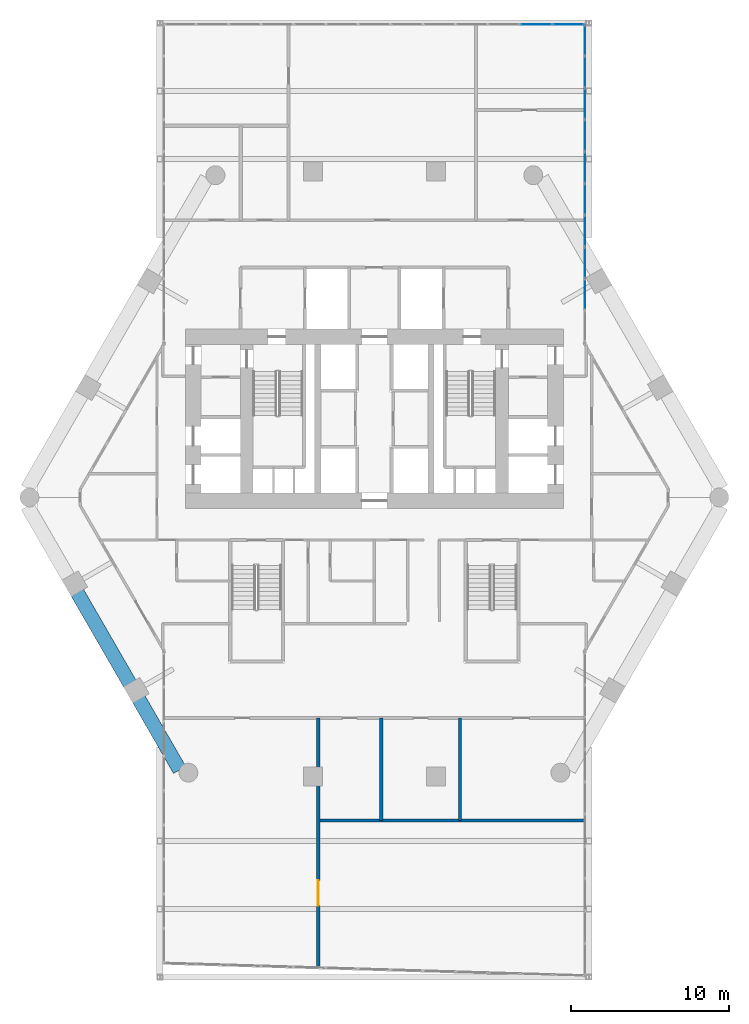
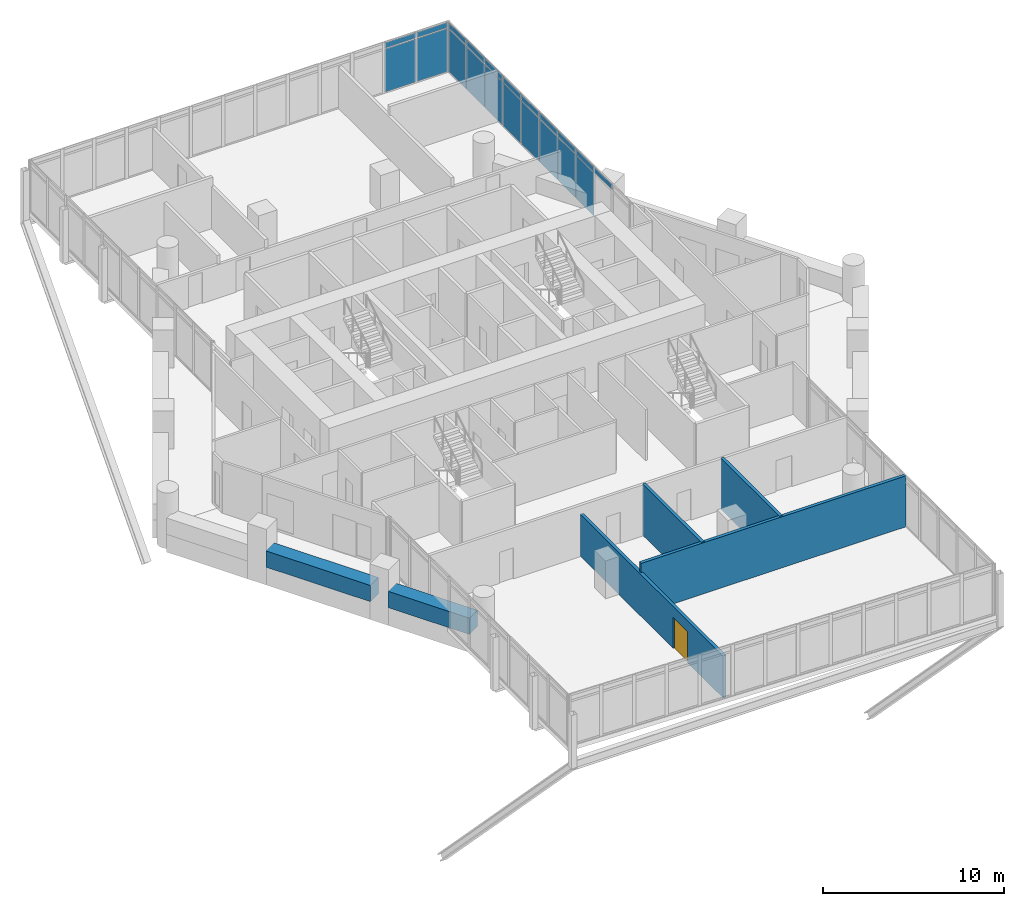
# One storey, part 29 of 37: 21 plates, 6 walls, 1 door, 1 opening, 2 elements without a shape of their own.
"""IFC4 building model written with IfcOpenShell, lengths in metres."""

import ifcopenshell
import ifcopenshell.guid

model = None  # the IFC model being written
_history = None  # IfcOwnerHistory: only IFC2X3 demands one
_inside = {}  # id of a spatial element -> (the spatial element, [elements in it])
_under = {}  # id of a project, library or spatial element -> (it, [spatial elements below it])
_declared = {}  # id of a project -> (the project, [libraries it declares])
_typed = {}  # id of a type object -> (the type object, [elements of that type])
_made_of = {}  # id of a material, layer set ... -> (it, [elements and type objects made of it])


def new_model(schema):
    """Start an empty IFC model of exactly this schema.

    Asked for "IFC4X3", IfcOpenShell would pick the latest addendum, in which some entities
    have other attributes; the version numbers below select the first issue.
    IFC2X3 requires an IfcOwnerHistory on every rooted entity: one is made here for all.
    """
    global model, _history
    if schema == "IFC4X3":
        model = ifcopenshell.file(schema_version=(4, 3, 0, 0))
    else:
        model = ifcopenshell.file(schema=schema)
    _inside.clear()
    _under.clear()
    _declared.clear()
    _typed.clear()
    _made_of.clear()
    _history = None
    if model.schema == "IFC2X3":
        org = make("IfcOrganization", Name="unknown")
        user = make(
            "IfcPersonAndOrganization",
            ThePerson=make("IfcPerson", FamilyName="unknown"),
            TheOrganization=org,
        )
        app = make(
            "IfcApplication",
            ApplicationDeveloper=org,
            Version="unknown",
            ApplicationFullName="unknown",
            ApplicationIdentifier="unknown",
        )
        _history = make(
            "IfcOwnerHistory",
            OwningUser=user,
            OwningApplication=app,
            ChangeAction="ADDED",
            CreationDate=0,
        )
    return model


def make(cls, **values):
    """One entity of the class cls with the attributes given. An attribute that is None is left unset."""
    return model.create_entity(
        cls, **{name: value for name, value in values.items() if value is not None}
    )


def rooted(cls, **values):
    """An entity with a GlobalId (a new one), such as an element, a storey or a relation."""
    return make(cls, GlobalId=ifcopenshell.guid.new(), OwnerHistory=_history, **values)


def si_unit(unit_type, name, prefix=None):
    """IfcSIUnit, for example si_unit("LENGTHUNIT", "METRE", prefix="MILLI")."""
    return make("IfcSIUnit", UnitType=unit_type, Prefix=prefix, Name=name)


def assignment(units):
    """IfcUnitAssignment: the units of a project."""
    return None if units is None else make("IfcUnitAssignment", Units=units)


def point(xyz):
    """IfcCartesianPoint."""
    return None if xyz is None else make("IfcCartesianPoint", Coordinates=xyz)


def direction(xyz):
    """IfcDirection."""
    return None if xyz is None else make("IfcDirection", DirectionRatios=xyz)


def frame(location, z_axis=None, x_axis=None):
    """IfcAxis2Placement3D, a coordinate frame: its origin and axes. An axis left out is left unset."""
    return make(
        "IfcAxis2Placement3D",
        Location=point(location),
        Axis=direction(z_axis),
        RefDirection=direction(x_axis),
    )


def frame_2d(location, x_axis=None):
    """IfcAxis2Placement2D, a coordinate frame in the plane: its origin and x axis."""
    return make(
        "IfcAxis2Placement2D", Location=point(location), RefDirection=direction(x_axis)
    )


def origin():
    """The frame at (0, 0, 0) with its axes left unset."""
    return frame((0.0, 0.0, 0.0))


def origin_2d():
    """The frame at (0, 0) in the plane with its x axis left unset."""
    return frame_2d((0.0, 0.0))


def place(relative_to, where):
    """IfcLocalPlacement: puts the frame where relative to a parent placement (None: the world)."""
    return make(
        "IfcLocalPlacement", PlacementRelTo=relative_to, RelativePlacement=where
    )


def context(
    kind, dimensions, precision=None, world=None, true_north=None, identifier=None
):
    """IfcGeometricRepresentationContext, for example the 3D "Model" context."""
    return make(
        "IfcGeometricRepresentationContext",
        ContextIdentifier=identifier,
        ContextType=kind,
        CoordinateSpaceDimension=dimensions,
        Precision=precision,
        WorldCoordinateSystem=world,
        TrueNorth=true_north,
    )


def subcontext(parent, identifier, kind, view, scale=None):
    """IfcGeometricRepresentationSubContext, for example "Body" below "Model"."""
    return make(
        "IfcGeometricRepresentationSubContext",
        ContextIdentifier=identifier,
        ContextType=kind,
        ParentContext=parent,
        TargetScale=scale,
        TargetView=view,
    )


def project(units=None, contexts=None):
    """IfcProject with its units and contexts."""
    return rooted(
        "IfcProject",
        Name="project",
        RepresentationContexts=contexts,
        UnitsInContext=assignment(units),
    )


def spatial(cls, under=None, at=None, **own):
    """A site, building, storey or space (cls), placed at a placement, below another one or the project."""
    s = rooted(cls, ObjectPlacement=at, **own)
    if under is not None:
        _under.setdefault(under.id(), (under, []))[1].append(s)
    return s


def profile(cls, at=None, kind="AREA", **sizes):
    """A parametric profile (cls). Its sizes go by their IFC names, for example OverallWidth=200.0."""
    return make(cls, ProfileType=kind, Position=at, **sizes)


def rectangle(**sizes):
    """IfcRectangleProfileDef."""
    return profile("IfcRectangleProfileDef", **sizes)


def extrude(swept, where, along, depth):
    """IfcExtrudedAreaSolid: the profile swept, set in the frame where, extruded along a direction by depth."""
    return make(
        "IfcExtrudedAreaSolid",
        SweptArea=swept,
        Position=where,
        ExtrudedDirection=direction(along),
        Depth=depth,
    )


def shape(context_of_items, identifier, shape_type, items):
    """IfcShapeRepresentation: the items that make up one representation, for example the "Body"."""
    return make(
        "IfcShapeRepresentation",
        ContextOfItems=context_of_items,
        RepresentationIdentifier=identifier,
        RepresentationType=shape_type,
        Items=items,
    )


def material(Name=None, Category=None):
    """IfcMaterial."""
    return make("IfcMaterial", Name=Name, Category=Category)


def layer(
    of_material, thickness, ventilated=None, Name=None, Category=None, Priority=None
):
    """IfcMaterialLayer: one layer of a wall or slab, of a material (None: an air gap)."""
    return make(
        "IfcMaterialLayer",
        Material=of_material,
        LayerThickness=thickness,
        IsVentilated=ventilated,
        Name=Name,
        Category=Category,
        Priority=Priority,
    )


def layer_set(layers, Name=None):
    """IfcMaterialLayerSet."""
    return make("IfcMaterialLayerSet", MaterialLayers=layers, LayerSetName=Name)


def made_of(thing, what):
    """Note that an element or type object is made of a material, layer set ...; save() writes the relation."""
    if what is not None:
        _made_of.setdefault(what.id(), (what, []))[1].append(thing)
    return thing


def type_object(cls, material=None, **own):
    """A type object (cls), such as IfcWallType, which elements share."""
    return made_of(rooted(cls, **own), material)


def element(
    cls,
    number,
    at=None,
    inside=None,
    cuts=None,
    type_object=None,
    material=None,
    context=None,
    identifier="Body",
    shape_type=None,
    held_by="IfcProductDefinitionShape",
    body=None,
    shapes=None,
    **own,
):
    """One element of the class cls, such as IfcWall. Its Tag is "e" and its number.

    at: its placement. inside: the storey or other place that contains it. cuts: it is an
    opening in that element (IfcRelVoidsElement). A single representation is given by context,
    identifier, shape_type and body (its items); several are given by shapes. held_by: the class
    of the entity that holds the representations. save() writes the other relations.
    """
    e = rooted(cls, Tag="e%d" % number, ObjectPlacement=at, **own)
    if body is not None:
        shapes = [shape(context, identifier, shape_type, body)]
    if shapes is not None:
        e.Representation = make(held_by, Representations=shapes)
    if inside is not None:
        _inside.setdefault(inside.id(), (inside, []))[1].append(e)
    if cuts is not None:
        rooted(
            "IfcRelVoidsElement", RelatingBuildingElement=cuts, RelatedOpeningElement=e
        )
    if type_object is not None:
        _typed.setdefault(type_object.id(), (type_object, []))[1].append(e)
    return made_of(e, material)


def fill(opening, filler):
    """IfcRelFillsElement: the door or window that sits in an opening."""
    return rooted(
        "IfcRelFillsElement",
        RelatingOpeningElement=opening,
        RelatedBuildingElement=filler,
    )


def aggregate(whole, parts):
    """IfcRelAggregates: a whole, such as a stair, and the parts it consists of."""
    return rooted("IfcRelAggregates", RelatingObject=whole, RelatedObjects=parts)


def save(model, path):
    """Write the relations noted so far, then the file.

    IfcRelAggregates (storeys below a building ...), IfcRelContainedInSpatialStructure (elements
    in a storey), IfcRelDefinesByType, IfcRelAssociatesMaterial and IfcRelDeclares: one each for
    every whole, place, type object, material and project.
    """
    for whole, parts in _under.values():
        aggregate(whole, parts)
    for where, things in _inside.values():
        rooted(
            "IfcRelContainedInSpatialStructure",
            RelatedElements=things,
            RelatingStructure=where,
        )
    for kind, things in _typed.values():
        rooted("IfcRelDefinesByType", RelatedObjects=things, RelatingType=kind)
    for what, things in _made_of.values():
        rooted("IfcRelAssociatesMaterial", RelatedObjects=things, RelatingMaterial=what)
    for by, libraries in _declared.values():
        rooted("IfcRelDeclares", RelatingContext=by, RelatedDefinitions=libraries)
    model.write(path)


model = new_model("IFC4")

# Units and contexts
model_context = context("Model", 3, precision=1e-05, world=origin(), true_north=direction((0.0, 1.0)))
body_context = subcontext(model_context, "Body", "Model", "MODEL_VIEW")
ifc_project = project(units=[si_unit("LENGTHUNIT", "METRE"), si_unit("AREAUNIT", "SQUARE_METRE"), si_unit("VOLUMEUNIT", "CUBIC_METRE"), si_unit("PLANEANGLEUNIT", "RADIAN"), si_unit("MASSUNIT", "GRAM", prefix="KILO")], contexts=[model_context])

# Site, building, storey
site_placement = place(None, origin())
site = spatial("IfcSite", under=ifc_project, at=site_placement, CompositionType="ELEMENT")
building_placement = place(site_placement, origin())
building = spatial("IfcBuilding", under=site, at=building_placement, Name="Ostrander Bayou Hotel Tower", CompositionType="ELEMENT")
storey_placement = place(building_placement, frame((0.0, 0.0, 131.0)))
storey = spatial("IfcBuildingStorey", under=building, at=storey_placement, Name="L32", CompositionType="ELEMENT", Elevation=131.0)

# Curtain wall, plates
ifc_material_1 = material(Name="Aluminium and clear glass", Category="aluminium")
curtain_wall_type = type_object("IfcCurtainWallType", Name="CW-BAR glazed wall", PredefinedType="NOTDEFINED", material=ifc_material_1)
curtain_wall_1_placement = place(storey_placement, origin())
curtain_wall_1 = element("IfcCurtainWall", 1, at=curtain_wall_1_placement, inside=storey, type_object=curtain_wall_type, Name="CW-BAR L32:SB3N:T", PredefinedType="NOTDEFINED")
ifc_material_2 = material(Name="Clear laminated glass", Category="glass")
ifc_layer_1 = layer(ifc_material_2, 0.028076171875)
ifc_layer_set_1 = layer_set([ifc_layer_1], Name="CW-BR glazing panel 28 mm")
plate_type = type_object("IfcPlateType", Name="CW-BR glazing panel 28 mm", PredefinedType="CURTAIN_PANEL", material=ifc_layer_set_1)
plate_1_placement = place(storey_placement, frame((10.282470703125, 29.037109375, 0.06005859375), z_axis=(0.0, 0.0, 1.0), x_axis=(1.0, 0.0, 0.0)))
plate_1 = element("IfcPlate", 2, at=plate_1_placement, type_object=plate_type, Name="CW-BAR panel 12.1", PredefinedType="CURTAIN_PANEL", context=body_context, shape_type="SweptSolid", body=[
    extrude(rectangle(XDim=1.99658203125, YDim=0.028076171875, at=origin_2d()), origin(), (0.0, 0.0, 1.0), 2.909912109375),
])
plate_2_placement = place(storey_placement, frame((10.282470703125, 29.037109375, 3.02978515625), z_axis=(0.0, 0.0, 1.0), x_axis=(1.0, 0.0, 0.0)))
plate_2 = element("IfcPlate", 3, at=plate_2_placement, type_object=plate_type, Name="CW-BAR panel 12.2", PredefinedType="CURTAIN_PANEL", context=body_context, shape_type="SweptSolid", body=[
    extrude(rectangle(XDim=1.99658203125, YDim=0.028076171875, at=origin_2d()), origin(), (0.0, 0.0, 1.0), 0.360107421875),
])
plate_3_placement = place(storey_placement, frame((12.323974609375, 29.037109375, 0.06005859375), z_axis=(0.0, 0.0, 1.0), x_axis=(1.0, 0.0, 0.0)))
plate_3 = element("IfcPlate", 4, at=plate_3_placement, type_object=plate_type, Name="CW-BAR panel 13.1", PredefinedType="CURTAIN_PANEL", context=body_context, shape_type="SweptSolid", body=[
    extrude(rectangle(XDim=1.966552734375, YDim=0.028076171875, at=origin_2d()), origin(), (0.0, 0.0, 1.0), 2.909912109375),
])
plate_4_placement = place(storey_placement, frame((12.323974609375, 29.037109375, 3.02978515625), z_axis=(0.0, 0.0, 1.0), x_axis=(1.0, 0.0, 0.0)))
plate_4 = element("IfcPlate", 5, at=plate_4_placement, type_object=plate_type, Name="CW-BAR panel 13.2", PredefinedType="CURTAIN_PANEL", context=body_context, shape_type="SweptSolid", body=[
    extrude(rectangle(XDim=1.966552734375, YDim=0.028076171875, at=origin_2d()), origin(), (0.0, 0.0, 1.0), 0.360107421875),
])
aggregate(curtain_wall_1, [plate_1, plate_2, plate_3, plate_4])

curtain_wall_2_placement = place(storey_placement, origin())
curtain_wall_2 = element("IfcCurtainWall", 6, at=curtain_wall_2_placement, inside=storey, type_object=curtain_wall_type, Name="CW-BAR L32:SB3N:W", PredefinedType="NOTDEFINED")
plate_5_placement = place(storey_placement, frame((13.3671875, 11.887939453125, 3.02978515625), z_axis=(0.0, 0.0, 1.0), x_axis=(0.0, 1.0, 0.0)))
plate_5 = element("IfcPlate", 7, at=plate_5_placement, type_object=plate_type, Name="CW-BAR panel 2.2", PredefinedType="CURTAIN_PANEL", context=body_context, shape_type="SweptSolid", body=[
    extrude(rectangle(XDim=1.95751953125, YDim=0.028076171875, at=origin_2d()), origin(), (0.0, 0.0, 1.0), 0.360107421875),
])
plate_6_placement = place(storey_placement, frame((13.3671875, 13.905517578125, 0.06005859375), z_axis=(0.0, 0.0, 1.0), x_axis=(0.0, 1.0, 0.0)))
plate_6 = element("IfcPlate", 8, at=plate_6_placement, type_object=plate_type, Name="CW-BAR panel 3.1", PredefinedType="CURTAIN_PANEL", context=body_context, shape_type="SweptSolid", body=[
    extrude(rectangle(XDim=1.95751953125, YDim=0.028076171875, at=origin_2d()), origin(), (0.0, 0.0, 1.0), 2.909912109375),
])
plate_7_placement = place(storey_placement, frame((13.3671875, 13.905517578125, 3.02978515625), z_axis=(0.0, 0.0, 1.0), x_axis=(0.0, 1.0, 0.0)))
plate_7 = element("IfcPlate", 9, at=plate_7_placement, type_object=plate_type, Name="CW-BAR panel 3.2", PredefinedType="CURTAIN_PANEL", context=body_context, shape_type="SweptSolid", body=[
    extrude(rectangle(XDim=1.95751953125, YDim=0.028076171875, at=origin_2d()), origin(), (0.0, 0.0, 1.0), 0.360107421875),
])
plate_8_placement = place(storey_placement, frame((13.3671875, 15.923095703125, 0.06005859375), z_axis=(0.0, 0.0, 1.0), x_axis=(0.0, 1.0, 0.0)))
plate_8 = element("IfcPlate", 10, at=plate_8_placement, type_object=plate_type, Name="CW-BAR panel 4.1", PredefinedType="CURTAIN_PANEL", context=body_context, shape_type="SweptSolid", body=[
    extrude(rectangle(XDim=1.95751953125, YDim=0.028076171875, at=origin_2d()), origin(), (0.0, 0.0, 1.0), 2.909912109375),
])
plate_9_placement = place(storey_placement, frame((13.3671875, 15.923095703125, 3.02978515625), z_axis=(0.0, 0.0, 1.0), x_axis=(0.0, 1.0, 0.0)))
plate_9 = element("IfcPlate", 11, at=plate_9_placement, type_object=plate_type, Name="CW-BAR panel 4.2", PredefinedType="CURTAIN_PANEL", context=body_context, shape_type="SweptSolid", body=[
    extrude(rectangle(XDim=1.95751953125, YDim=0.028076171875, at=origin_2d()), origin(), (0.0, 0.0, 1.0), 0.360107421875),
])
plate_10_placement = place(storey_placement, frame((13.3671875, 17.940673828125, 0.06005859375), z_axis=(0.0, 0.0, 1.0), x_axis=(0.0, 1.0, 0.0)))
plate_10 = element("IfcPlate", 12, at=plate_10_placement, type_object=plate_type, Name="CW-BAR panel 5.1", PredefinedType="CURTAIN_PANEL", context=body_context, shape_type="SweptSolid", body=[
    extrude(rectangle(XDim=1.95751953125, YDim=0.028076171875, at=origin_2d()), origin(), (0.0, 0.0, 1.0), 2.909912109375),
])
plate_11_placement = place(storey_placement, frame((13.3671875, 17.940673828125, 3.02978515625), z_axis=(0.0, 0.0, 1.0), x_axis=(0.0, 1.0, 0.0)))
plate_11 = element("IfcPlate", 13, at=plate_11_placement, type_object=plate_type, Name="CW-BAR panel 5.2", PredefinedType="CURTAIN_PANEL", context=body_context, shape_type="SweptSolid", body=[
    extrude(rectangle(XDim=1.95751953125, YDim=0.028076171875, at=origin_2d()), origin(), (0.0, 0.0, 1.0), 0.360107421875),
])
plate_12_placement = place(storey_placement, frame((13.3671875, 19.958251953125, 0.06005859375), z_axis=(0.0, 0.0, 1.0), x_axis=(0.0, 1.0, 0.0)))
plate_12 = element("IfcPlate", 14, at=plate_12_placement, type_object=plate_type, Name="CW-BAR panel 6.1", PredefinedType="CURTAIN_PANEL", context=body_context, shape_type="SweptSolid", body=[
    extrude(rectangle(XDim=1.95751953125, YDim=0.028076171875, at=origin_2d()), origin(), (0.0, 0.0, 1.0), 2.909912109375),
])
plate_13_placement = place(storey_placement, frame((13.3671875, 19.958251953125, 3.02978515625), z_axis=(0.0, 0.0, 1.0), x_axis=(0.0, 1.0, 0.0)))
plate_13 = element("IfcPlate", 15, at=plate_13_placement, type_object=plate_type, Name="CW-BAR panel 6.2", PredefinedType="CURTAIN_PANEL", context=body_context, shape_type="SweptSolid", body=[
    extrude(rectangle(XDim=1.95751953125, YDim=0.028076171875, at=origin_2d()), origin(), (0.0, 0.0, 1.0), 0.360107421875),
])
plate_14_placement = place(storey_placement, frame((13.3671875, 21.975830078125, 0.06005859375), z_axis=(0.0, 0.0, 1.0), x_axis=(0.0, 1.0, 0.0)))
plate_14 = element("IfcPlate", 16, at=plate_14_placement, type_object=plate_type, Name="CW-BAR panel 7.1", PredefinedType="CURTAIN_PANEL", context=body_context, shape_type="SweptSolid", body=[
    extrude(rectangle(XDim=1.95751953125, YDim=0.028076171875, at=origin_2d()), origin(), (0.0, 0.0, 1.0), 2.909912109375),
])
plate_15_placement = place(storey_placement, frame((13.3671875, 21.975830078125, 3.02978515625), z_axis=(0.0, 0.0, 1.0), x_axis=(0.0, 1.0, 0.0)))
plate_15 = element("IfcPlate", 17, at=plate_15_placement, type_object=plate_type, Name="CW-BAR panel 7.2", PredefinedType="CURTAIN_PANEL", context=body_context, shape_type="SweptSolid", body=[
    extrude(rectangle(XDim=1.95751953125, YDim=0.028076171875, at=origin_2d()), origin(), (0.0, 0.0, 1.0), 0.360107421875),
])
plate_16_placement = place(storey_placement, frame((13.3671875, 23.9931640625, 0.06005859375), z_axis=(0.0, 0.0, 1.0), x_axis=(0.0, 1.0, 0.0)))
plate_16 = element("IfcPlate", 18, at=plate_16_placement, type_object=plate_type, Name="CW-BAR panel 8.1", PredefinedType="CURTAIN_PANEL", context=body_context, shape_type="SweptSolid", body=[
    extrude(rectangle(XDim=1.95751953125, YDim=0.028076171875, at=origin_2d()), origin(), (0.0, 0.0, 1.0), 2.909912109375),
])
plate_17_placement = place(storey_placement, frame((13.3671875, 23.9931640625, 3.02978515625), z_axis=(0.0, 0.0, 1.0), x_axis=(0.0, 1.0, 0.0)))
plate_17 = element("IfcPlate", 19, at=plate_17_placement, type_object=plate_type, Name="CW-BAR panel 8.2", PredefinedType="CURTAIN_PANEL", context=body_context, shape_type="SweptSolid", body=[
    extrude(rectangle(XDim=1.95751953125, YDim=0.028076171875, at=origin_2d()), origin(), (0.0, 0.0, 1.0), 0.360107421875),
])
plate_18_placement = place(storey_placement, frame((13.3671875, 26.0107421875, 0.06005859375), z_axis=(0.0, 0.0, 1.0), x_axis=(0.0, 1.0, 0.0)))
plate_18 = element("IfcPlate", 20, at=plate_18_placement, type_object=plate_type, Name="CW-BAR panel 9.1", PredefinedType="CURTAIN_PANEL", context=body_context, shape_type="SweptSolid", body=[
    extrude(rectangle(XDim=1.95751953125, YDim=0.028076171875, at=origin_2d()), origin(), (0.0, 0.0, 1.0), 2.909912109375),
])
plate_19_placement = place(storey_placement, frame((13.3671875, 26.0107421875, 3.02978515625), z_axis=(0.0, 0.0, 1.0), x_axis=(0.0, 1.0, 0.0)))
plate_19 = element("IfcPlate", 21, at=plate_19_placement, type_object=plate_type, Name="CW-BAR panel 9.2", PredefinedType="CURTAIN_PANEL", context=body_context, shape_type="SweptSolid", body=[
    extrude(rectangle(XDim=1.95751953125, YDim=0.028076171875, at=origin_2d()), origin(), (0.0, 0.0, 1.0), 0.360107421875),
])
plate_20_placement = place(storey_placement, frame((13.3671875, 28.013427734375, 0.06005859375), z_axis=(0.0, 0.0, 1.0), x_axis=(0.0, 1.0, 0.0)))
plate_20 = element("IfcPlate", 22, at=plate_20_placement, type_object=plate_type, Name="CW-BAR panel 10.1", PredefinedType="CURTAIN_PANEL", context=body_context, shape_type="SweptSolid", body=[
    extrude(rectangle(XDim=1.927490234375, YDim=0.028076171875, at=origin_2d()), origin(), (0.0, 0.0, 1.0), 2.909912109375),
])
plate_21_placement = place(storey_placement, frame((13.3671875, 28.013427734375, 3.02978515625), z_axis=(0.0, 0.0, 1.0), x_axis=(0.0, 1.0, 0.0)))
plate_21 = element("IfcPlate", 23, at=plate_21_placement, type_object=plate_type, Name="CW-BAR panel 10.2", PredefinedType="CURTAIN_PANEL", context=body_context, shape_type="SweptSolid", body=[
    extrude(rectangle(XDim=1.927490234375, YDim=0.028076171875, at=origin_2d()), origin(), (0.0, 0.0, 1.0), 0.360107421875),
])
aggregate(curtain_wall_2, [plate_5, plate_6, plate_7, plate_8, plate_9, plate_10, plate_11, plate_12, plate_13, plate_14, plate_15, plate_16, plate_17, plate_18, plate_19, plate_20, plate_21])

# Walls
ifc_material_3 = material(Name="Limestone masonry", Category="masonry")
ifc_layer_2 = layer(ifc_material_3, 0.89990234375)
ifc_layer_set_2 = layer_set([ifc_layer_2], Name="PA2 limestone parapet 900 mm")
wall_type_1 = type_object("IfcWallType", Name="PA2 limestone parapet 900 mm", PredefinedType="PARAPET", material=ifc_layer_set_2)
wall_1_placement = place(storey_placement, frame((-18.85888671875, -7.035400390625, 0.0), z_axis=(0.0, 0.0, 1.0), x_axis=(0.499999023957, -0.866025967302, 0.0)))
element("IfcWall", 24, at=wall_1_placement, inside=storey, type_object=wall_type_1, Name="PA2 L32 SW-2", PredefinedType="PARAPET", context=body_context, shape_type="SweptSolid", body=[
    extrude(rectangle(XDim=6.67333984375, YDim=0.89990234375, at=frame_2d((3.336669921875, 0.0))), origin(), (0.0, 0.0, 1.0), 1.10009765625),
])
wall_2_placement = place(storey_placement, frame((-14.9521484375, -13.802001953125, 0.0), z_axis=(0.0, 0.0, 1.0), x_axis=(0.499996813733, -0.866027243369, 0.0)))
element("IfcWall", 25, at=wall_2_placement, inside=storey, type_object=wall_type_1, Name="PA2 L32 SW-3", PredefinedType="PARAPET", context=body_context, shape_type="SweptSolid", body=[
    extrude(rectangle(XDim=5.1865234375, YDim=0.89990234375, at=frame_2d((2.59326171875, 0.0))), origin(), (0.0, 0.0, 1.0), 1.10009765625),
])
ifc_material_4 = material(Name="Gypsum board partition", Category="finish")
ifc_layer_3 = layer(ifc_material_4, 0.199951171875)
ifc_layer_set_3 = layer_set([ifc_layer_3], Name="PT3 demising wall 200 mm acoustic double stud, 1 hour")
wall_type_2 = type_object("IfcWallType", Name="PT3 demising wall 200 mm acoustic double stud, 1 hour", PredefinedType="PARTITIONING", material=ifc_layer_set_3)
wall_3_placement = place(storey_placement, frame((-3.557861328125, -21.5, 0.0), z_axis=(0.0, 0.0, 1.0), x_axis=(1.0, 0.0, 0.0)))
element("IfcWall", 26, at=wall_3_placement, inside=storey, type_object=wall_type_2, Name="sw:L32:502", PredefinedType="PARTITIONING", context=body_context, shape_type="SweptSolid", body=[
    extrude(rectangle(XDim=16.906005859375, YDim=0.199951171875, at=frame_2d((8.453125, 0.0))), origin(), (0.0, 0.0, 1.0), 3.449951171875),
])

# Wall, opening, door
wall_4_placement = place(storey_placement, frame((-3.55810546875, -30.8251953125, 0.0), z_axis=(0.0, 0.0, 1.0), x_axis=(0.0, 1.0, 0.0)))
wall_4 = element("IfcWall", 27, at=wall_4_placement, inside=storey, type_object=wall_type_2, Name="sw:L32:507", PredefinedType="PARTITIONING", context=body_context, shape_type="SweptSolid", body=[
    extrude(rectangle(XDim=15.8251953125, YDim=0.199951171875, at=frame_2d((7.91259765625, 0.0))), origin(), (0.0, 0.0, 1.0), 2.828125),
])
opening_placement = place(wall_4_placement, frame((3.918212890625, 0.0, 0.0)))
opening = element("IfcOpeningElement", 28, at=opening_placement, cuts=wall_4, Name="Opening T32-1204", PredefinedType="OPENING", context=body_context, shape_type="SweptSolid", body=[
    extrude(rectangle(XDim=1.60009765625, YDim=2.10009765625, at=frame_2d((0.800048828125, 1.050048828125))), frame((0.0, 0.10009765625, 0.0), z_axis=(0.0, -1.0, 0.0), x_axis=(1.0, 0.0, 0.0)), (0.0, 0.0, 1.0), 0.199951171875),
])
ifc_material_5 = material(Name="Timber door leaf", Category="wood")
door_type = type_object("IfcDoorType", Name="D13 double door 1600 x 2100 mm, 1 hour", OperationType="SINGLE_SWING_LEFT", PredefinedType="DOOR", material=ifc_material_5)
door_placement = place(opening_placement, origin())
door = element("IfcDoor", 29, at=door_placement, inside=storey, type_object=door_type, Name="dr:L32:1204", OperationType="DOUBLE_DOOR_SINGLE_SWING", OverallHeight=2.10009765625, OverallWidth=1.60009765625, PredefinedType="DOOR", context=body_context, shape_type="SweptSolid", body=[
    extrude(rectangle(XDim=1.60009765625, YDim=2.10009765625, at=frame_2d((0.800048828125, 1.050048828125))), frame((0.0, 0.02490234375, 0.0), z_axis=(0.0, -1.0, 0.0), x_axis=(1.0, 0.0, 0.0)), (0.0, 0.0, 1.0), 0.050048828125),
])
fill(opening, door)

# Walls
for number, where, z_axis, x_axis, name in (
    (30, (0.44189453125, -21.5, 0.0), (0.0, 0.0, 1.0), (0.0, 1.0, 0.0), "sw:L32:508"),
    (31, (5.44189453125, -21.5, 0.0), (0.0, 0.0, 1.0), (0.0, 1.0, 0.0), "sw:L32:509"),
):
    element("IfcWall", number, at=place(storey_placement, frame(where, z_axis=z_axis, x_axis=x_axis)), inside=storey, type_object=wall_type_2, Name=name, PredefinedType="PARTITIONING", context=body_context, shape_type="SweptSolid", body=[
        extrude(rectangle(XDim=6.5, YDim=0.199951171875, at=frame_2d((3.25, 0.0))), origin(), (0.0, 0.0, 1.0), 3.449951171875),
    ])

save(model, "model.ifc")
